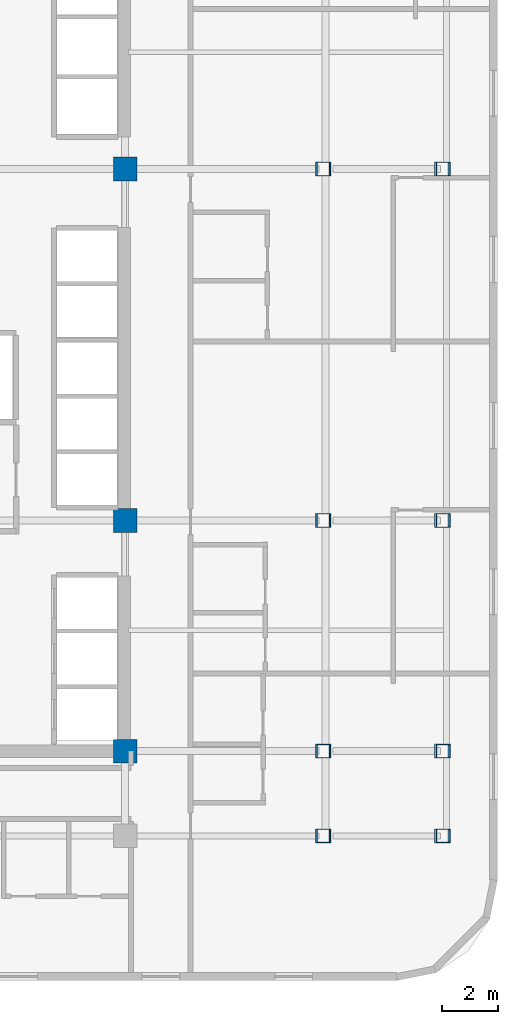
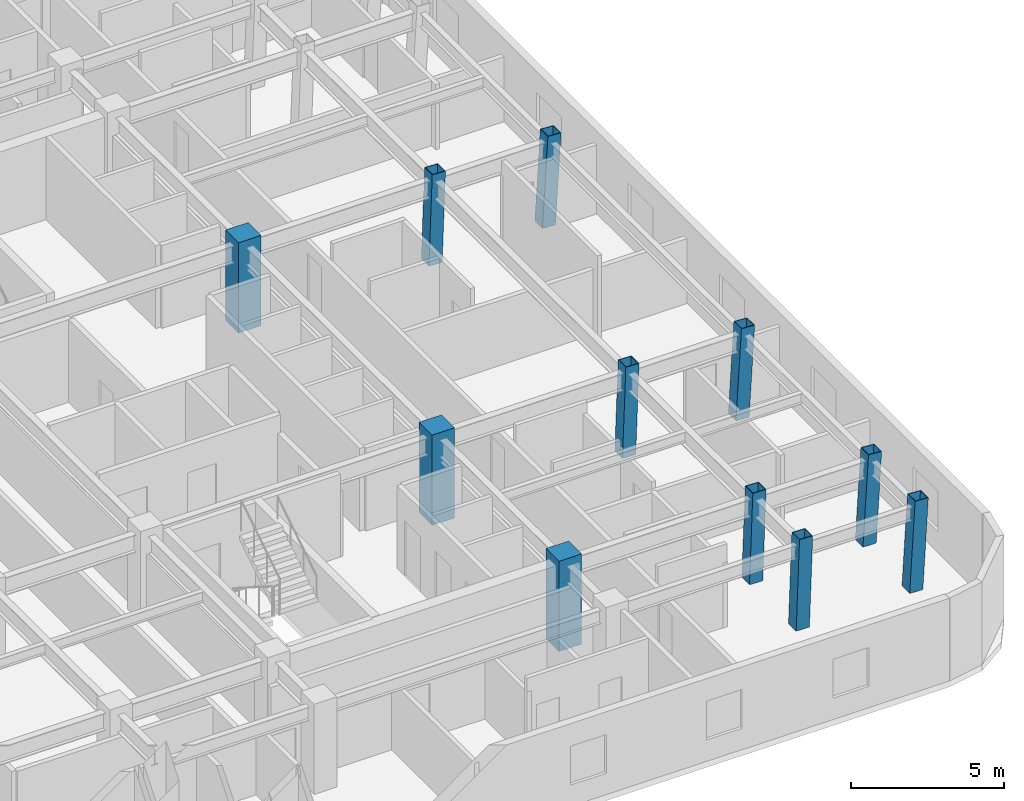
# One storey, part 2 of 11: 11 columns.
"""IFC4 building model written with IfcOpenShell, lengths in metres."""

from ifc_helpers import new_model, si_unit, direction, frame, origin, origin_2d, place, context, subcontext, project, spatial, rectangle, hollow_rectangle, extrude, material, material_profile, profile_set, type_object, element, save


model = new_model("IFC4")

# Units and contexts
model_context = context("Model", 3, precision=1e-05, world=origin(), true_north=direction((0.0, 1.0)))
body_context = subcontext(model_context, "Body", "Model", "MODEL_VIEW")
ifc_project = project(units=[si_unit("LENGTHUNIT", "METRE"), si_unit("AREAUNIT", "SQUARE_METRE"), si_unit("VOLUMEUNIT", "CUBIC_METRE"), si_unit("PLANEANGLEUNIT", "RADIAN"), si_unit("MASSUNIT", "GRAM", prefix="KILO")], contexts=[model_context])

# Site, building, storey
site_placement = place(None, origin())
site = spatial("IfcSite", under=ifc_project, at=site_placement, CompositionType="ELEMENT")
building_placement = place(site_placement, origin())
building = spatial("IfcBuilding", under=site, at=building_placement, Name="Ochreholt Gables", CompositionType="ELEMENT")
storey_placement = place(building_placement, frame((0.0, 0.0, 67.800048828125)))
storey = spatial("IfcBuildingStorey", under=building, at=storey_placement, Name="L17", CompositionType="ELEMENT", Elevation=67.800048828125)

# Columns
ifc_material_1 = material(Name="Steel CSA G40.21 350W", Category="steel")
ifc_material_profile_1 = material_profile(ifc_material_1, hollow_rectangle(XDim=0.5, YDim=0.5, WallThickness=0.02197265625, at=origin_2d()), Name="HSS500X500X22")
ifc_profile_set_1 = profile_set([ifc_material_profile_1], Name="Steel CSA G40.21 350W")
column_type_1 = type_object("IfcColumnType", Name="COL-HSS500-RAK", PredefinedType="COLUMN", material=ifc_profile_set_1)
for number, where, z_axis, x_axis, name in (
    (1, (42.30908203125, 9.25, 0.0), (0.034973505036, 0.0, 0.999388239847), (0.0, 1.0, 0.0), "L17 Column EMY2"),
    (2, (42.30908203125, 17.550048828125, 0.0), (0.034973505036, 0.0, 0.999388239847), (0.0, 1.0, 0.0), "L17 Column EMY3"),
    (3, (42.30908203125, 30.199951171875, 0.0), (0.034973505036, 0.0, 0.999388239847), (0.0, 1.0, 0.0), "L17 Column EMY4"),
):
    element("IfcColumn", number, at=place(storey_placement, frame(where, z_axis=z_axis, x_axis=x_axis)), inside=storey, type_object=column_type_1, Name=name, PredefinedType="COLUMN", context=body_context, shape_type="SweptSolid", body=[
        extrude(hollow_rectangle(XDim=0.5, YDim=0.5, WallThickness=0.02197265625, at=origin_2d()), origin(), (0.0, 0.0, 1.0), 3.60205078125),
    ])
ifc_material_profile_2 = material_profile(ifc_material_1, hollow_rectangle(XDim=0.5, YDim=0.5, WallThickness=0.02197265625, at=origin_2d()), Name="HSS500X500X22")
ifc_profile_set_2 = profile_set([ifc_material_profile_2], Name="Steel CSA G40.21 350W")
column_type_2 = type_object("IfcColumnType", Name="COL-HSS500-RAKE", PredefinedType="COLUMN", material=ifc_profile_set_2)
column_placement = place(storey_placement, frame((42.30908203125, 6.199951171875, 0.0), z_axis=(0.034973505036, 0.0, 0.999388239847), x_axis=(0.0, 1.0, 0.0)))
element("IfcColumn", 4, at=column_placement, inside=storey, type_object=column_type_2, Name="L17 Column EMY1", PredefinedType="COLUMN", context=body_context, shape_type="SweptSolid", body=[
    extrude(hollow_rectangle(XDim=0.5, YDim=0.5, WallThickness=0.02197265625, at=origin_2d()), origin(), (0.0, 0.0, 1.0), 3.60205078125),
])
for number, where, z_axis, x_axis, name in (
    (5, (46.589111328125, 6.199951171875, 0.0), (0.057955997462, 0.0, 0.998319138531), (0.0, 1.0, 0.0), "L17 Column EEY1"),
    (6, (46.589111328125, 9.25, 0.0), (0.057955997462, 0.0, 0.998319138531), (0.0, 1.0, 0.0), "L17 Column EEY2"),
    (7, (46.589111328125, 17.550048828125, 0.0), (0.057955997462, 0.0, 0.998319138531), (0.0, 1.0, 0.0), "L17 Column EEY3"),
    (8, (46.589111328125, 30.199951171875, 0.0), (0.057955997462, 0.0, 0.998319138531), (0.0, 1.0, 0.0), "L17 Column EEY4"),
):
    element("IfcColumn", number, at=place(storey_placement, frame(where, z_axis=z_axis, x_axis=x_axis)), inside=storey, type_object=column_type_2, Name=name, PredefinedType="COLUMN", context=body_context, shape_type="SweptSolid", body=[
        extrude(hollow_rectangle(XDim=0.5, YDim=0.5, WallThickness=0.02197265625, at=origin_2d()), origin(), (0.0, 0.0, 1.0), 3.60595703125),
    ])
ifc_material_2 = material(Name="Concrete 60 MPa", Category="concrete")
ifc_material_profile_3 = material_profile(ifc_material_2, rectangle(XDim=0.85009765625, YDim=0.85009765625, at=origin_2d()), Name="RC850X850")
ifc_profile_set_3 = profile_set([ifc_material_profile_3], Name="Concrete 60 MPa")
column_type_3 = type_object("IfcColumnType", Name="COL-RC850-INT", PredefinedType="COLUMN", material=ifc_profile_set_3)
for number, where, z_axis, x_axis, name in (
    (9, (35.199951171875, 9.25, 0.0), (0.0, 0.0, 1.0), (1.0, 0.0, 0.0), "L17 Column C2Y2"),
    (10, (35.199951171875, 17.550048828125, 0.0), (0.0, 0.0, 1.0), (1.0, 0.0, 0.0), "L17 Column C2Y3"),
    (11, (35.199951171875, 30.199951171875, 0.0), (0.0, 0.0, 1.0), (1.0, 0.0, 0.0), "L17 Column C2Y4"),
):
    element("IfcColumn", number, at=place(storey_placement, frame(where, z_axis=z_axis, x_axis=x_axis)), inside=storey, type_object=column_type_3, Name=name, PredefinedType="COLUMN", context=body_context, shape_type="SweptSolid", body=[
        extrude(rectangle(XDim=0.85009765625, YDim=0.85009765625, at=origin_2d()), origin(), (0.0, 0.0, 1.0), 3.599853515625),
    ])

save(model, "model.ifc")
